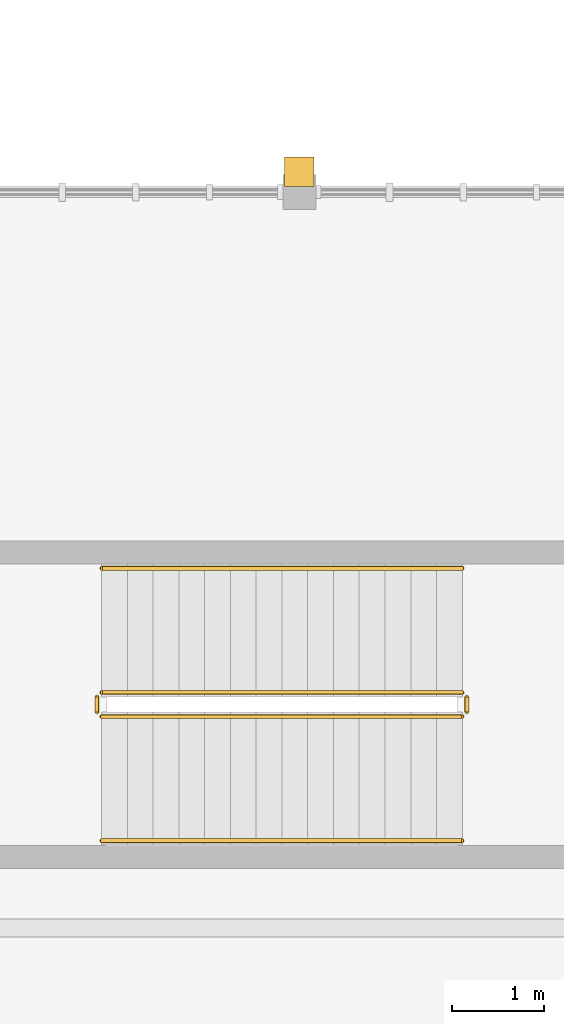
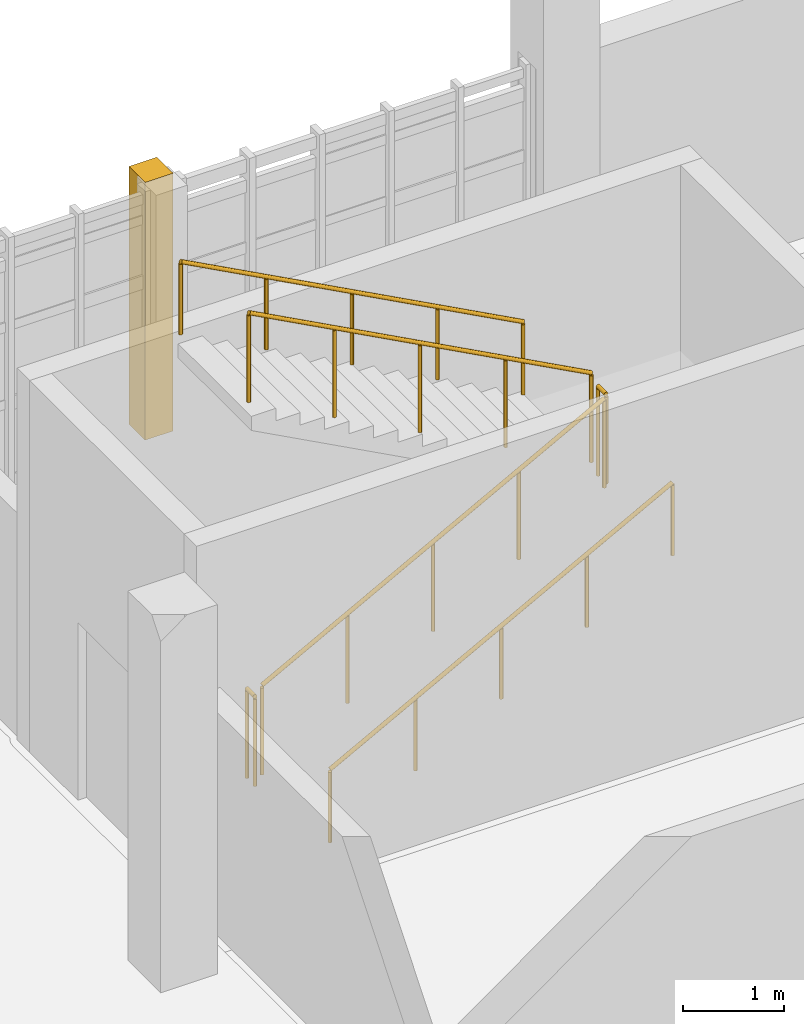
# One storey, part 116 of 125: 6 railings, 1 covering.
"""IFC4 building model written with IfcOpenShell, lengths in metres."""

from ifc_helpers import new_model, si_unit, direction, frame, origin, origin_2d, place, context, subcontext, project, spatial, polyline, circle, outline, extrude, material, layer, layer_set, type_object, element, save


model = new_model("IFC4")

# Units and contexts
model_context = context("Model", 3, precision=1e-05, world=origin(), true_north=direction((0.0, 1.0)))
body_context = subcontext(model_context, "Body", "Model", "MODEL_VIEW")
ifc_project = project(units=[si_unit("LENGTHUNIT", "METRE"), si_unit("AREAUNIT", "SQUARE_METRE"), si_unit("VOLUMEUNIT", "CUBIC_METRE"), si_unit("PLANEANGLEUNIT", "RADIAN"), si_unit("MASSUNIT", "GRAM", prefix="KILO")], contexts=[model_context])

# Site, building, storey
site_placement = place(None, origin())
site = spatial("IfcSite", under=ifc_project, at=site_placement, CompositionType="ELEMENT")
building_placement = place(site_placement, origin())
building = spatial("IfcBuilding", under=site, at=building_placement, Name="Serraforn Aerial Cableway Station", CompositionType="ELEMENT")
storey_placement = place(building_placement, frame((0.0, 0.0, 4.5)))
storey = spatial("IfcBuildingStorey", under=building, at=storey_placement, Name="L01", CompositionType="ELEMENT", Elevation=4.5)

# Covering
ifc_material_1 = material(Name="Fluted patinated bronze Art Deco pilaster cladding")
ifc_layer_1 = layer(ifc_material_1, 0.034912109375)
ifc_layer_set_1 = layer_set([ifc_layer_1], Name="Fluted patinated bronze Art Deco pilaster cladding")
covering_type = type_object("IfcCoveringType", Name="COV-CLAD-BRZ", PredefinedType="CLADDING", material=ifc_layer_set_1)
covering_placement = place(storey_placement, origin())
element("IfcCovering", 1, at=covering_placement, inside=storey, type_object=covering_type, Name="Art Deco Bronze Pilaster Cladding CV-L01-N2", PredefinedType="CLADDING", context=body_context, shape_type="SweptSolid", body=[
    extrude(outline(polyline([(40.93994140625, 42.06005859375), (41.260009765625, 42.06005859375), (41.260009765625, 42.3798828125), (40.93994140625, 42.3798828125), (40.93994140625, 42.06005859375)])), origin(), (0.0, 0.0, 1.0), 3.1201171875),
])

# Railings
ifc_material_2 = material(Name="Patinated bronze stair guardrail")
ifc_layer_2 = layer(ifc_material_2, 0.050048828125)
ifc_layer_set_2 = layer_set([ifc_layer_2], Name="Patinated bronze stair guardrail")
railing_type_1 = type_object("IfcRailingType", Name="RL-STR-GRD", PredefinedType="GUARDRAIL", material=ifc_layer_set_2)
railing_1_placement = place(storey_placement, frame((38.949951171875, 36.300048828125, 0.14990234375)))
element("IfcRailing", 2, at=railing_1_placement, inside=storey, type_object=railing_type_1, Name="L01 ST-04 stair guard 1", PredefinedType="GUARDRAIL", context=body_context, shape_type="SweptSolid", body=[
    extrude(circle(Radius=0.02392578125, at=origin_2d()), frame((0.0, 0.0, 1.076171875), z_axis=(0.881479153919, 0.0, 0.472222935917), x_axis=(0.0, 1.0, 0.0)), (0.0, 0.0, 1.0), 4.447265625),
    extrude(circle(Radius=0.02099609375, at=origin_2d()), origin(), (0.0, 0.0, 1.0), 1.052001953125),
    extrude(circle(Radius=0.02099609375, at=origin_2d()), frame((0.97998046875, 0.0, 0.52490234375)), (0.0, 0.0, 1.0), 1.052001953125),
    extrude(circle(Radius=0.02099609375, at=origin_2d()), frame((1.9599609375, 0.0, 1.050048828125)), (0.0, 0.0, 1.0), 1.052001953125),
    extrude(circle(Radius=0.02099609375, at=origin_2d()), frame((2.940185546875, 0.0, 1.5751953125)), (0.0, 0.0, 1.0), 1.052001953125),
    extrude(circle(Radius=0.02099609375, at=origin_2d()), frame((3.920166015625, 0.0, 2.10009765625)), (0.0, 0.0, 1.0), 1.052001953125),
])
railing_2_placement = place(storey_placement, frame((42.919921875, 36.35009765625, 2.25)))
element("IfcRailing", 3, at=railing_2_placement, inside=storey, type_object=railing_type_1, Name="L01 ST-04 stair guard 2", PredefinedType="GUARDRAIL", context=body_context, shape_type="SweptSolid", body=[
    extrude(circle(Radius=0.02392578125, at=origin_2d()), frame((0.0, 0.0, 1.076171875), z_axis=(0.0, 1.0, 0.0), x_axis=(-1.0, 0.0, 0.0)), (0.0, 0.0, 1.0), 0.159912109375),
    extrude(circle(Radius=0.02099609375, at=origin_2d()), origin(), (0.0, 0.0, 1.0), 1.052001953125),
    extrude(circle(Radius=0.02099609375, at=origin_2d()), frame((0.0, 0.159912109375, 0.0)), (0.0, 0.0, 1.0), 1.052001953125),
])
railing_3_placement = place(storey_placement, frame((42.8701171875, 36.56005859375, 2.39990234375)))
element("IfcRailing", 4, at=railing_3_placement, inside=storey, type_object=railing_type_1, Name="L01 ST-04 stair guard 3", PredefinedType="GUARDRAIL", context=body_context, shape_type="SweptSolid", body=[
    extrude(circle(Radius=0.02392578125, at=origin_2d()), frame((0.0, 0.0, 1.076171875), z_axis=(-0.881479153919, 0.0, 0.472222935917), x_axis=(0.0, -1.0, 0.0)), (0.0, 0.0, 1.0), 4.447265625),
    extrude(circle(Radius=0.02099609375, at=origin_2d()), origin(), (0.0, 0.0, 1.0), 1.052001953125),
    extrude(circle(Radius=0.02099609375, at=origin_2d()), frame((-0.97998046875, 0.0, 0.52490234375)), (0.0, 0.0, 1.0), 1.052001953125),
    extrude(circle(Radius=0.02099609375, at=origin_2d()), frame((-1.9599609375, 0.0, 1.050048828125)), (0.0, 0.0, 1.0), 1.052001953125),
    extrude(circle(Radius=0.02099609375, at=origin_2d()), frame((-2.940185546875, 0.0, 1.5751953125)), (0.0, 0.0, 1.0), 1.052001953125),
    extrude(circle(Radius=0.02099609375, at=origin_2d()), frame((-3.920166015625, 0.0, 2.10009765625)), (0.0, 0.0, 1.0), 1.052001953125),
])
railing_4_placement = place(storey_placement, frame((38.89990234375, 36.35009765625, 0.0)))
element("IfcRailing", 5, at=railing_4_placement, inside=storey, type_object=railing_type_1, Name="L01 ST-04 stair guard 4", PredefinedType="GUARDRAIL", context=body_context, shape_type="SweptSolid", body=[
    extrude(circle(Radius=0.02392578125, at=origin_2d()), frame((0.0, 0.0, 1.076171875), z_axis=(0.0, 1.0, 0.0), x_axis=(-1.0, 0.0, 0.0)), (0.0, 0.0, 1.0), 0.159912109375),
    extrude(circle(Radius=0.02099609375, at=origin_2d()), origin(), (0.0, 0.0, 1.0), 1.052001953125),
    extrude(circle(Radius=0.02099609375, at=origin_2d()), frame((0.0, 0.159912109375, 0.0)), (0.0, 0.0, 1.0), 1.052001953125),
])
ifc_material_3 = material(Name="Brushed bronze tubular handrail")
ifc_layer_3 = layer(ifc_material_3, 0.048095703125)
ifc_layer_set_3 = layer_set([ifc_layer_3], Name="Brushed bronze tubular handrail")
railing_type_2 = type_object("IfcRailingType", Name="RL-STR-HDR", PredefinedType="HANDRAIL", material=ifc_layer_set_3)
railing_5_placement = place(storey_placement, frame((38.949951171875, 34.949951171875, 0.14990234375)))
element("IfcRailing", 6, at=railing_5_placement, inside=storey, type_object=railing_type_2, Name="L01 ST-04 stair handrail 1", PredefinedType="HANDRAIL", context=body_context, shape_type="SweptSolid", body=[
    extrude(circle(Radius=0.02392578125, at=origin_2d()), frame((0.0, 0.0, 0.8759765625), z_axis=(0.881479153919, 0.0, 0.472222935917), x_axis=(0.0, 1.0, 0.0)), (0.0, 0.0, 1.0), 4.447265625),
    extrude(circle(Radius=0.02099609375, at=origin_2d()), origin(), (0.0, 0.0, 1.0), 0.851806640625),
    extrude(circle(Radius=0.02099609375, at=origin_2d()), frame((0.97998046875, 0.0, 0.52490234375)), (0.0, 0.0, 1.0), 0.851806640625),
    extrude(circle(Radius=0.02099609375, at=origin_2d()), frame((1.9599609375, 0.0, 1.050048828125)), (0.0, 0.0, 1.0), 0.851806640625),
    extrude(circle(Radius=0.02099609375, at=origin_2d()), frame((2.940185546875, 0.0, 1.5751953125)), (0.0, 0.0, 1.0), 0.851806640625),
    extrude(circle(Radius=0.02099609375, at=origin_2d()), frame((3.920166015625, 0.0, 2.10009765625)), (0.0, 0.0, 1.0), 0.851806640625),
])
railing_6_placement = place(storey_placement, frame((42.8701171875, 37.909912109375, 2.39990234375)))
element("IfcRailing", 7, at=railing_6_placement, inside=storey, type_object=railing_type_2, Name="L01 ST-04 stair handrail 2", PredefinedType="HANDRAIL", context=body_context, shape_type="SweptSolid", body=[
    extrude(circle(Radius=0.02392578125, at=origin_2d()), frame((0.0, 0.0, 0.8759765625), z_axis=(-0.881479153919, 0.0, 0.472222935917), x_axis=(0.0, -1.0, 0.0)), (0.0, 0.0, 1.0), 4.447265625),
    extrude(circle(Radius=0.02099609375, at=origin_2d()), origin(), (0.0, 0.0, 1.0), 0.851806640625),
    extrude(circle(Radius=0.02099609375, at=origin_2d()), frame((-0.97998046875, 0.0, 0.52490234375)), (0.0, 0.0, 1.0), 0.851806640625),
    extrude(circle(Radius=0.02099609375, at=origin_2d()), frame((-1.9599609375, 0.0, 1.050048828125)), (0.0, 0.0, 1.0), 0.851806640625),
    extrude(circle(Radius=0.02099609375, at=origin_2d()), frame((-2.940185546875, 0.0, 1.5751953125)), (0.0, 0.0, 1.0), 0.851806640625),
    extrude(circle(Radius=0.02099609375, at=origin_2d()), frame((-3.920166015625, 0.0, 2.10009765625)), (0.0, 0.0, 1.0), 0.851806640625),
])

save(model, "model.ifc")
